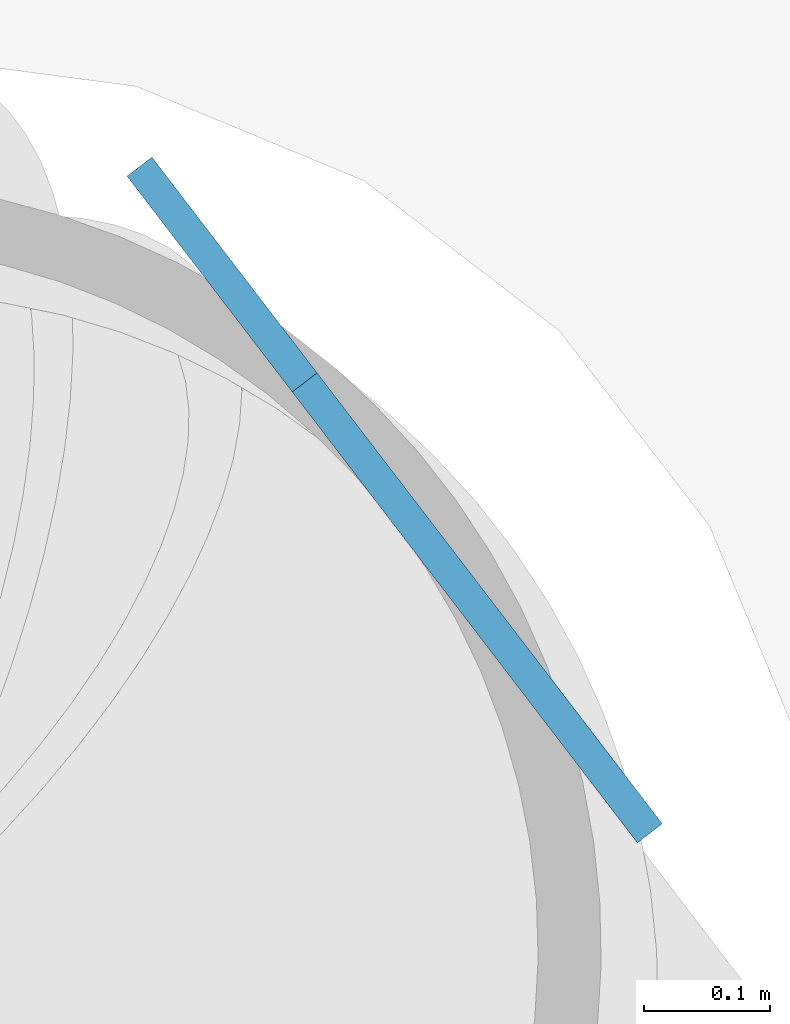
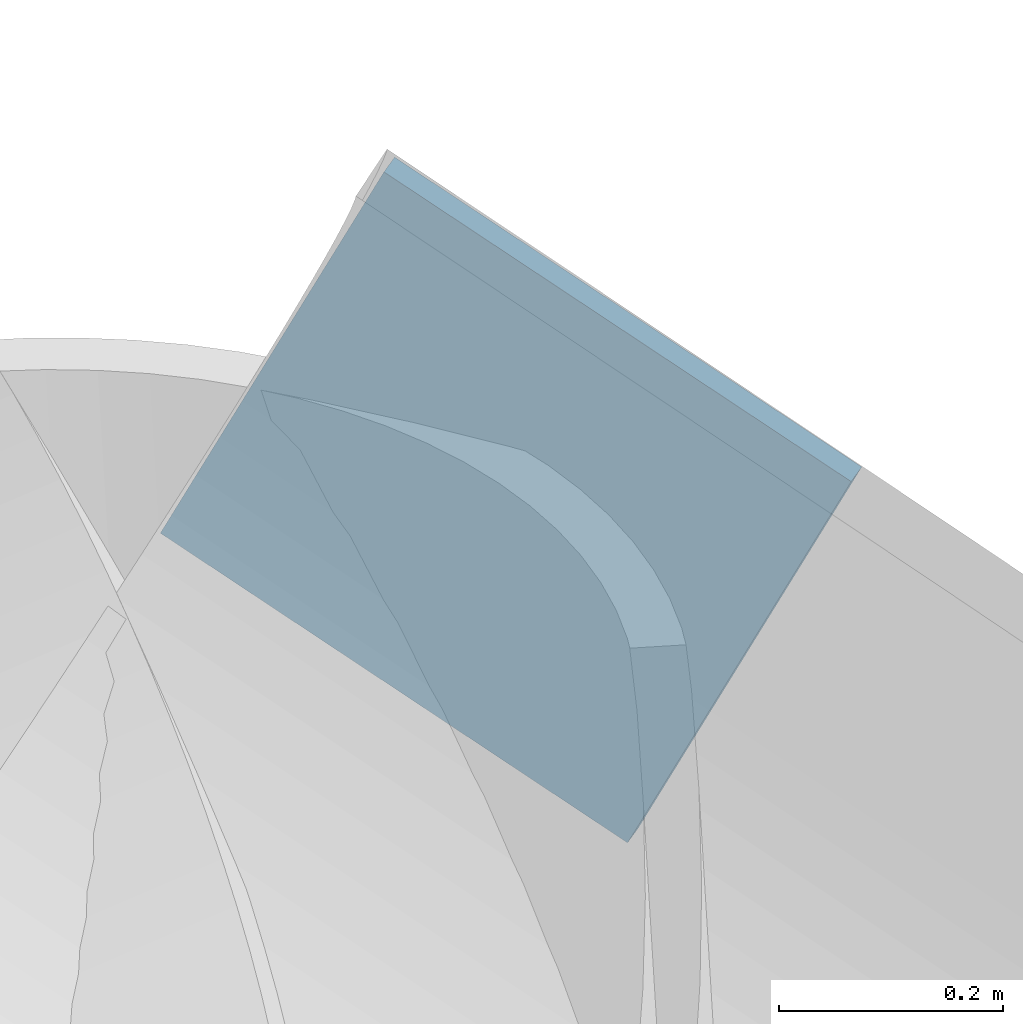
# One storey, part 30 of 48: 1 discrete accessory.
"""IFC4 building model written with IfcOpenShell, lengths in metres."""

from ifc_helpers import new_model, si_unit, direction, frame, origin, origin_2d, place, context, subcontext, project, spatial, rectangle, extrude, material, material_profile, profile_set, type_object, element, save


model = new_model("IFC4")

# Units and contexts
model_context = context("Model", 3, precision=1e-05, world=origin(), true_north=direction((0.0, 1.0)))
body_context = subcontext(model_context, "Body", "Model", "MODEL_VIEW")
ifc_project = project(units=[si_unit("LENGTHUNIT", "METRE"), si_unit("AREAUNIT", "SQUARE_METRE"), si_unit("VOLUMEUNIT", "CUBIC_METRE"), si_unit("PLANEANGLEUNIT", "RADIAN"), si_unit("MASSUNIT", "GRAM", prefix="KILO")], contexts=[model_context])

# Site, building, storey
site_placement = place(None, origin())
site = spatial("IfcSite", under=ifc_project, at=site_placement, CompositionType="ELEMENT")
building_placement = place(site_placement, origin())
building = spatial("IfcBuilding", under=site, at=building_placement, Name="Tarsis Ring Headquarters", CompositionType="ELEMENT")
storey_placement = place(building_placement, frame((0.0, 0.0, 34.0)))
storey = spatial("IfcBuildingStorey", under=building, at=storey_placement, Name="L06", CompositionType="ELEMENT", Elevation=34.0)

# Discrete accessory
ifc_material = material(Name="Structural steel S355", Category="steel")
ifc_material_profile = material_profile(ifc_material, rectangle(XDim=0.02490234375, YDim=0.5, at=origin_2d()), Name="PL 25x500")
ifc_profile_set = profile_set([ifc_material_profile], Name="Structural steel S355")
discrete_accessory_type = type_object("IfcDiscreteAccessoryType", Name="Gusset plate Belt truss 25", PredefinedType="BRACKET", material=ifc_profile_set)
discrete_accessory_placement = place(storey_placement, frame((19.210693359375, 22.5927734375, 6.0), z_axis=(0.548315659485, -0.716277001304, -0.431621587698), x_axis=(0.794050457318, 0.60785184974, 0.0)))
element("IfcDiscreteAccessory", 1, at=discrete_accessory_placement, inside=storey, type_object=discrete_accessory_type, Name="Gusset plate GP4", PredefinedType="BRACKET", context=body_context, shape_type="SweptSolid", body=[
    extrude(rectangle(XDim=0.02490234375, YDim=0.5, at=origin_2d()), origin(), (0.0, 0.0, 1.0), 0.5),
])

save(model, "model.ifc")
